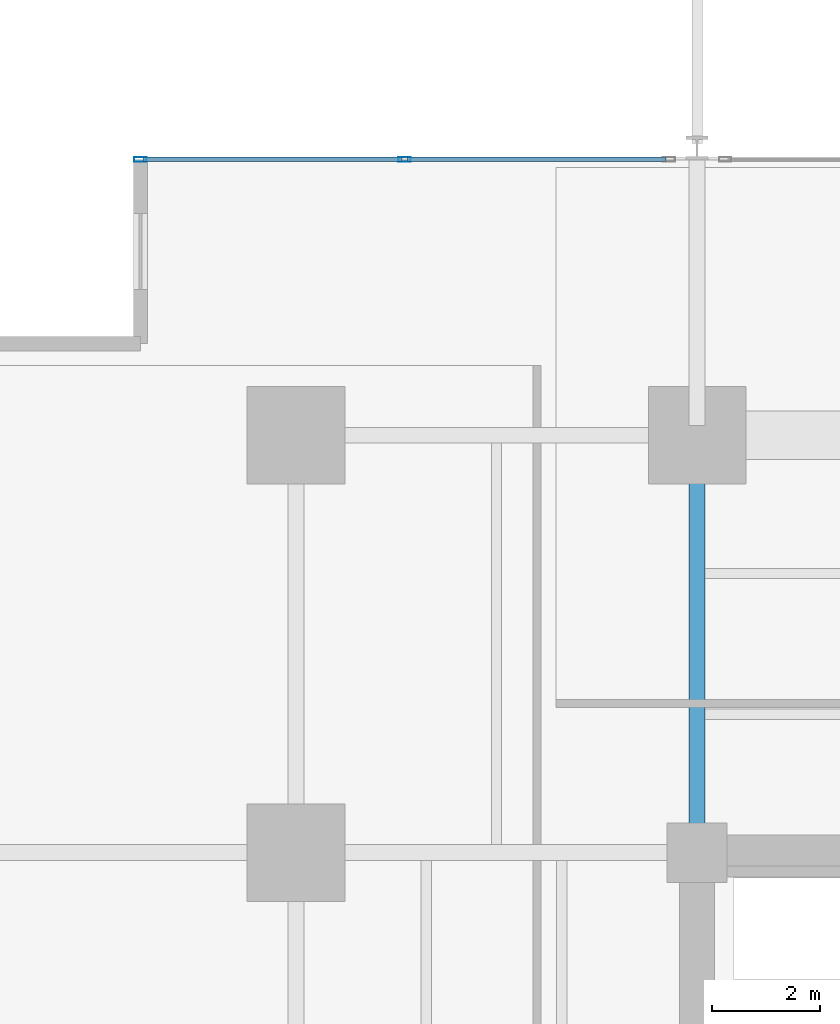
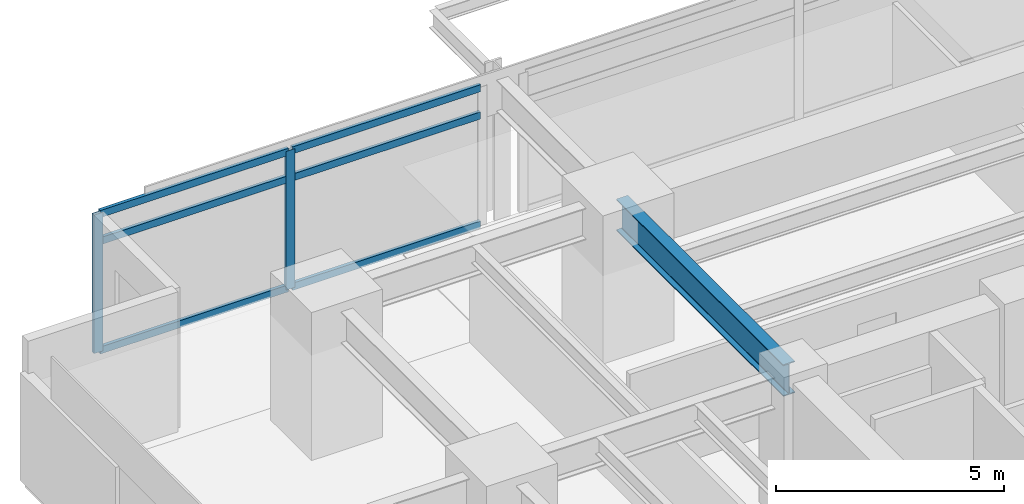
# One storey, part 7 of 20: 8 members, 1 beam, 1 element without a shape of its own.
"""IFC4 building model written with IfcOpenShell, lengths in metres."""

from ifc_helpers import new_model, si_unit, direction, frame, origin, origin_2d, place, context, subcontext, project, spatial, hollow_rectangle, i_section, extrude, material, material_profile, profile_set, type_object, element, aggregate, save


model = new_model("IFC4")

# Units and contexts
model_context = context("Model", 3, precision=1e-05, world=origin(), true_north=direction((0.0, 1.0)))
body_context = subcontext(model_context, "Body", "Model", "MODEL_VIEW")
ifc_project = project(units=[si_unit("LENGTHUNIT", "METRE"), si_unit("AREAUNIT", "SQUARE_METRE"), si_unit("VOLUMEUNIT", "CUBIC_METRE"), si_unit("PLANEANGLEUNIT", "RADIAN"), si_unit("MASSUNIT", "GRAM", prefix="KILO")], contexts=[model_context])

# Site, building, storey
site_placement = place(None, origin())
site = spatial("IfcSite", under=ifc_project, at=site_placement, CompositionType="ELEMENT")
building_placement = place(site_placement, origin())
building = spatial("IfcBuilding", under=site, at=building_placement, Name="Kovane Verandah Tower", CompositionType="ELEMENT")
storey_placement = place(building_placement, frame((0.0, 0.0, 35.60009765625)))
storey = spatial("IfcBuildingStorey", under=building, at=storey_placement, Name="L07", CompositionType="ELEMENT", Elevation=35.60009765625)

# Beam
ifc_material_1 = material(Name="Steel S355", Category="steel")
ifc_material_profile_1 = material_profile(ifc_material_1, i_section(OverallWidth=0.293701171875, OverallDepth=0.850830078125, WebThickness=0.01611328125, FlangeThickness=0.02685546875, FilletRadius=0.017822265625, at=origin_2d()), Name="UB838x292x226")
ifc_profile_set_1 = profile_set([ifc_material_profile_1], Name="Steel S355")
beam_type = type_object("IfcBeamType", Name="BM-UB838x226", PredefinedType="BEAM", material=ifc_profile_set_1)
beam_placement = place(storey_placement, frame((29.0, 36.679931640625, 3.33447265625), z_axis=(0.0, 1.0, 0.0), x_axis=(-1.0, 0.0, 0.0)))
element("IfcBeam", 1, at=beam_placement, inside=storey, type_object=beam_type, Name="L07 Primary Tower Girder G-N1", PredefinedType="BEAM", context=body_context, shape_type="SweptSolid", body=[
    extrude(i_section(OverallWidth=0.293701171875, OverallDepth=0.850830078125, WebThickness=0.01611328125, FlangeThickness=0.02685546875, FilletRadius=0.017822265625, at=origin_2d()), origin(), (0.0, 0.0, 1.0), 7.340087890625),
])

# Curtain wall, members
ifc_material_2 = material(Name="Champagne Anodised Aluminium Frame with Low-E Clear Laminated Glass", Category="aluminium")
curtain_wall_type = type_object("IfcCurtainWallType", Name="CW-SYS-02-LOW", PredefinedType="NOTDEFINED", material=ifc_material_2)
curtain_wall_placement = place(storey_placement, origin())
curtain_wall = element("IfcCurtainWall", 2, at=curtain_wall_placement, inside=storey, type_object=curtain_wall_type, Name="L07 N Unitised Curtain Wall-3", PredefinedType="NOTDEFINED")
ifc_material_3 = material(Name="Champagne Anodised Aluminium 6063-T6", Category="aluminium")
ifc_material_profile_2 = material_profile(ifc_material_3, hollow_rectangle(XDim=0.0849609375, YDim=0.22998046875, WallThickness=0.00390625, at=origin_2d()), Name="AL85x230x4")
ifc_profile_set_2 = profile_set([ifc_material_profile_2], Name="Champagne Anodised Aluminium 6063-T6")
member_type_1 = type_object("IfcMemberType", Name="CW-MUL-85x230", PredefinedType="MULLION", material=ifc_profile_set_2)
member_1_placement = place(storey_placement, frame((23.604736328125, 49.289306640625, 0.02001953125), z_axis=(0.0, 0.0, 1.0), x_axis=(0.0, 1.0, 0.0)))
member_1 = element("IfcMember", 3, at=member_1_placement, type_object=member_type_1, Name="L07 N Unitised Curtain Wall-3 Mullion 2", PredefinedType="MULLION", context=body_context, shape_type="SweptSolid", body=[
    extrude(hollow_rectangle(XDim=0.0849609375, YDim=0.22998046875, WallThickness=0.00390625, at=origin_2d()), origin(), (0.0, 0.0, 1.0), 3.719970703125),
])
member_2_placement = place(storey_placement, frame((18.7294921875, 49.289306640625, 0.02001953125), z_axis=(0.0, 0.0, 1.0), x_axis=(0.0, 1.0, 0.0)))
member_2 = element("IfcMember", 4, at=member_2_placement, type_object=member_type_1, Name="L07 N Unitised Curtain Wall-3 Mullion 3", PredefinedType="MULLION", context=body_context, shape_type="SweptSolid", body=[
    extrude(hollow_rectangle(XDim=0.0849609375, YDim=0.22998046875, WallThickness=0.00390625, at=origin_2d()), origin(), (0.0, 0.0, 1.0), 3.719970703125),
])
ifc_material_profile_3 = material_profile(ifc_material_3, hollow_rectangle(XDim=0.0849609375, YDim=0.18994140625, WallThickness=0.00390625, at=origin_2d()), Name="AL85x190x4")
ifc_profile_set_3 = profile_set([ifc_material_profile_3], Name="Champagne Anodised Aluminium 6063-T6")
member_type_2 = type_object("IfcMemberType", Name="CW-TRN-85x190", PredefinedType="USERDEFINED", material=ifc_profile_set_3)
member_3_placement = place(storey_placement, frame((28.429931640625, 49.289306640625, 0.0498046875), z_axis=(-1.0, 0.0, 0.0), x_axis=(0.0, -1.0, 0.0)))
member_3 = element("IfcMember", 5, at=member_3_placement, type_object=member_type_2, Name="L07 N Unitised Curtain Wall-3 Transom TB Bay 1", ObjectType="TRANSOM", PredefinedType="USERDEFINED", context=body_context, shape_type="SweptSolid", body=[
    extrude(hollow_rectangle(XDim=0.0849609375, YDim=0.18994140625, WallThickness=0.00390625, at=origin_2d()), origin(), (0.0, 0.0, 1.0), 4.775146484375),
])
member_4_placement = place(storey_placement, frame((28.429931640625, 49.289306640625, 2.97998046875), z_axis=(-1.0, 0.0, 0.0), x_axis=(0.0, -1.0, 0.0)))
member_4 = element("IfcMember", 6, at=member_4_placement, type_object=member_type_2, Name="L07 N Unitised Curtain Wall-3 Transom TM Bay 1", ObjectType="TRANSOM", PredefinedType="USERDEFINED", context=body_context, shape_type="SweptSolid", body=[
    extrude(hollow_rectangle(XDim=0.0849609375, YDim=0.18994140625, WallThickness=0.00390625, at=origin_2d()), origin(), (0.0, 0.0, 1.0), 4.775146484375),
])
member_5_placement = place(storey_placement, frame((28.429931640625, 49.289306640625, 3.7099609375), z_axis=(-1.0, 0.0, 0.0), x_axis=(0.0, -1.0, 0.0)))
member_5 = element("IfcMember", 7, at=member_5_placement, type_object=member_type_2, Name="L07 N Unitised Curtain Wall-3 Transom TT Bay 1", ObjectType="TRANSOM", PredefinedType="USERDEFINED", context=body_context, shape_type="SweptSolid", body=[
    extrude(hollow_rectangle(XDim=0.0849609375, YDim=0.18994140625, WallThickness=0.00390625, at=origin_2d()), origin(), (0.0, 0.0, 1.0), 4.775146484375),
])
member_6_placement = place(storey_placement, frame((23.5546875, 49.289306640625, 0.0498046875), z_axis=(-1.0, 0.0, 0.0), x_axis=(0.0, -1.0, 0.0)))
member_6 = element("IfcMember", 8, at=member_6_placement, type_object=member_type_2, Name="L07 N Unitised Curtain Wall-3 Transom TB Bay 2", ObjectType="TRANSOM", PredefinedType="USERDEFINED", context=body_context, shape_type="SweptSolid", body=[
    extrude(hollow_rectangle(XDim=0.0849609375, YDim=0.18994140625, WallThickness=0.00390625, at=origin_2d()), origin(), (0.0, 0.0, 1.0), 4.775146484375),
])
member_7_placement = place(storey_placement, frame((23.5546875, 49.289306640625, 2.97998046875), z_axis=(-1.0, 0.0, 0.0), x_axis=(0.0, -1.0, 0.0)))
member_7 = element("IfcMember", 9, at=member_7_placement, type_object=member_type_2, Name="L07 N Unitised Curtain Wall-3 Transom TM Bay 2", ObjectType="TRANSOM", PredefinedType="USERDEFINED", context=body_context, shape_type="SweptSolid", body=[
    extrude(hollow_rectangle(XDim=0.0849609375, YDim=0.18994140625, WallThickness=0.00390625, at=origin_2d()), origin(), (0.0, 0.0, 1.0), 4.775146484375),
])
member_8_placement = place(storey_placement, frame((23.5546875, 49.289306640625, 3.7099609375), z_axis=(-1.0, 0.0, 0.0), x_axis=(0.0, -1.0, 0.0)))
member_8 = element("IfcMember", 10, at=member_8_placement, type_object=member_type_2, Name="L07 N Unitised Curtain Wall-3 Transom TT Bay 2", ObjectType="TRANSOM", PredefinedType="USERDEFINED", context=body_context, shape_type="SweptSolid", body=[
    extrude(hollow_rectangle(XDim=0.0849609375, YDim=0.18994140625, WallThickness=0.00390625, at=origin_2d()), origin(), (0.0, 0.0, 1.0), 4.775146484375),
])
aggregate(curtain_wall, [member_1, member_2, member_3, member_4, member_5, member_6, member_7, member_8])

save(model, "model.ifc")
